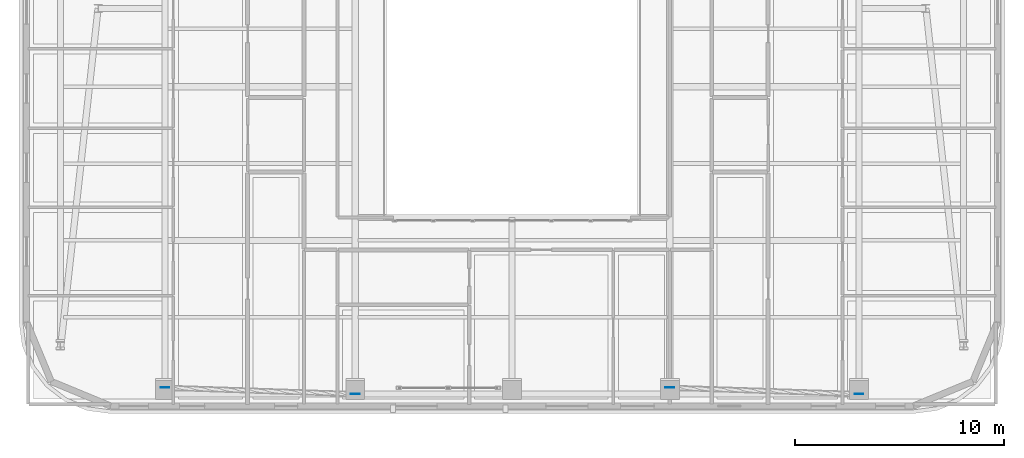
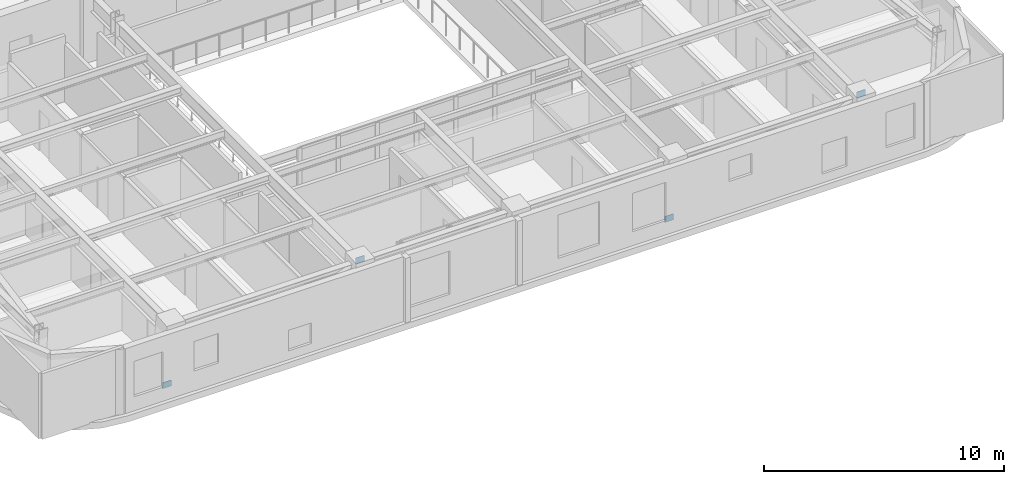
# One storey, part 5 of 14: 4 plates.
"""IFC4 building model written with IfcOpenShell, lengths in metres."""

from ifc_helpers import new_model, si_unit, direction, frame, origin, origin_2d, place, context, subcontext, project, spatial, rectangle, extrude, material, layer, layer_set, type_object, element, save


model = new_model("IFC4")

# Units and contexts
model_context = context("Model", 3, precision=1e-05, world=origin(), true_north=direction((0.0, 1.0)))
body_context = subcontext(model_context, "Body", "Model", "MODEL_VIEW")
ifc_project = project(units=[si_unit("LENGTHUNIT", "METRE"), si_unit("AREAUNIT", "SQUARE_METRE"), si_unit("VOLUMEUNIT", "CUBIC_METRE"), si_unit("PLANEANGLEUNIT", "RADIAN"), si_unit("MASSUNIT", "GRAM", prefix="KILO")], contexts=[model_context])

# Site, building, storey
site_placement = place(None, origin())
site = spatial("IfcSite", under=ifc_project, at=site_placement, CompositionType="ELEMENT")
building_placement = place(site_placement, origin())
building = spatial("IfcBuilding", under=site, at=building_placement, Name="Zarnavel Station Tower", CompositionType="ELEMENT")
storey_placement = place(building_placement, frame((0.0, 0.0, 229.199951171875)))
storey = spatial("IfcBuildingStorey", under=building, at=storey_placement, Name="L62", CompositionType="ELEMENT", Elevation=229.199951171875)

# Plates
ifc_material = material(Name="Steel S460M", Category="steel")
ifc_layer = layer(ifc_material, 0.02490234375)
ifc_layer_set = layer_set([ifc_layer], Name="GP_GUSSET_25")
plate_type = type_object("IfcPlateType", Name="GP_GUSSET_25", PredefinedType="USERDEFINED", material=ifc_layer_set)
for number, where, z_axis, x_axis, name in (
    (1, (12.199951171875, 5.4580078125, -0.14990234375), (0.0, 0.0, 1.0), (1.0, 0.0, 0.0), "L62 Exterior Diagonal Brace End Gusset 1-1"),
    (2, (21.300048828125, 5.1552734375, 3.18994140625), (0.0, 0.0, 1.0), (1.0, 0.0, 0.0), "L62 Exterior Diagonal Brace End Gusset 1-2"),
    (3, (36.35009765625, 5.4580078125, -0.14990234375), (0.0, 0.0, 1.0), (1.0, 0.0, 0.0), "L62 Exterior Diagonal Brace End Gusset 2-1"),
    (4, (45.39990234375, 5.1552734375, 3.18994140625), (0.0, 0.0, 1.0), (1.0, 0.0, 0.0), "L62 Exterior Diagonal Brace End Gusset 2-2"),
):
    element("IfcPlate", number, at=place(storey_placement, frame(where, z_axis=z_axis, x_axis=x_axis)), inside=storey, type_object=plate_type, Name=name, ObjectType="GUSSET_PLATE", PredefinedType="USERDEFINED", context=body_context, shape_type="SweptSolid", body=[
        extrude(rectangle(XDim=0.419921875, YDim=0.02490234375, at=origin_2d()), origin(), (0.0, 0.0, 1.0), 0.300048828125),
    ])

save(model, "model.ifc")
